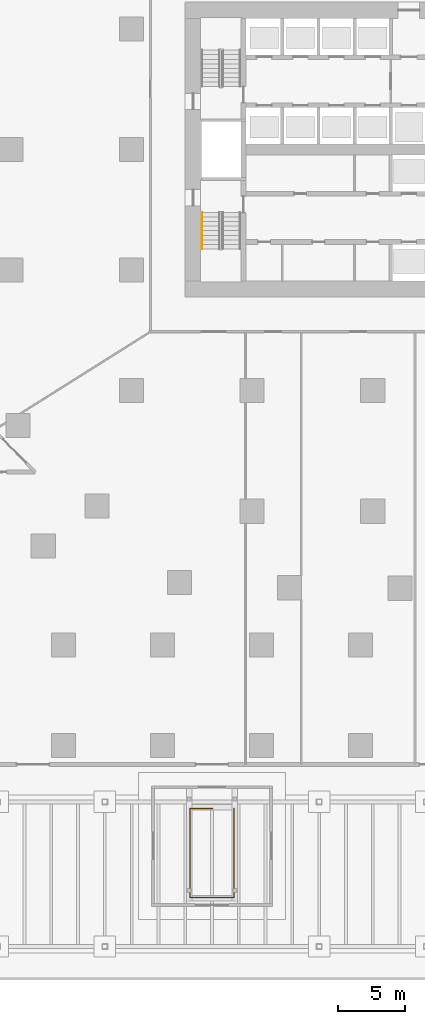
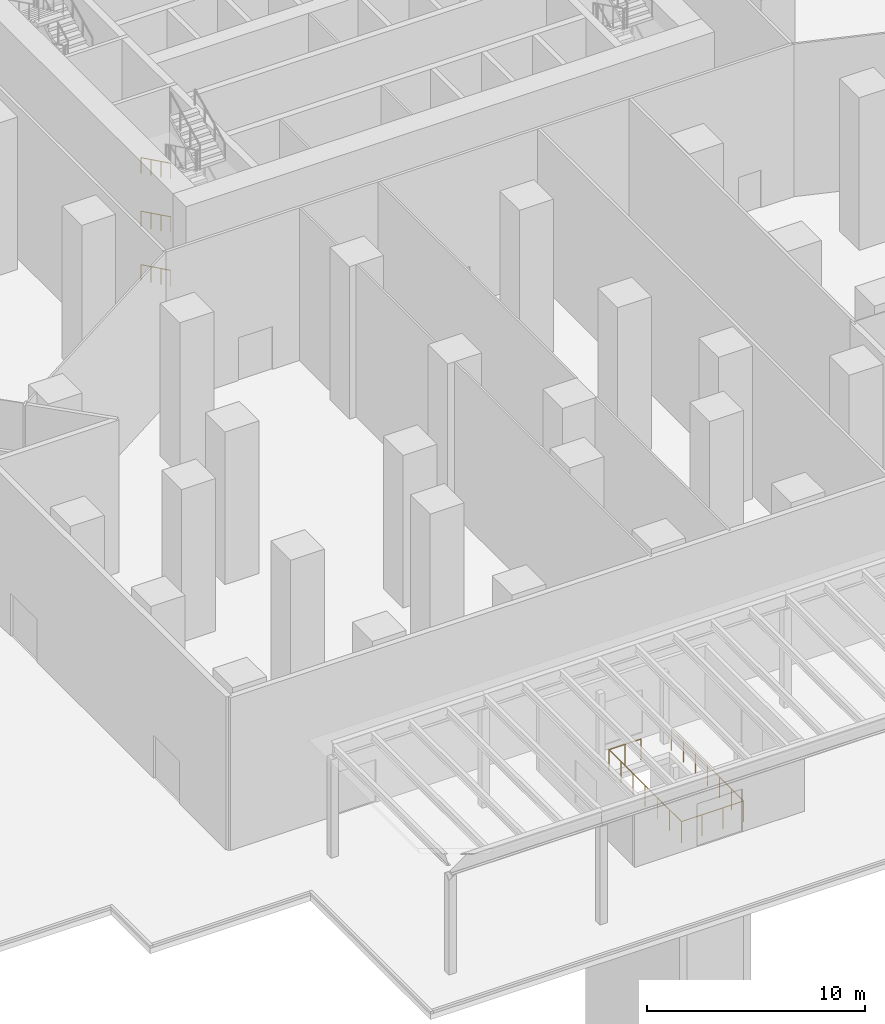
# One storey, part 36 of 40: 4 railings.
"""IFC4 building model written with IfcOpenShell, lengths in metres."""

from ifc_helpers import new_model, si_unit, direction, frame, origin, origin_2d, place, context, subcontext, project, spatial, circle, extrude, material, type_object, element, save


model = new_model("IFC4")

# Units and contexts
model_context = context("Model", 3, precision=1e-05, world=origin(), true_north=direction((0.0, 1.0)))
body_context = subcontext(model_context, "Body", "Model", "MODEL_VIEW")
ifc_project = project(units=[si_unit("LENGTHUNIT", "METRE"), si_unit("AREAUNIT", "SQUARE_METRE"), si_unit("VOLUMEUNIT", "CUBIC_METRE"), si_unit("PLANEANGLEUNIT", "RADIAN"), si_unit("MASSUNIT", "GRAM", prefix="KILO")], contexts=[model_context])

# Site, building, storey
site_placement = place(None, origin())
site = spatial("IfcSite", under=ifc_project, at=site_placement, CompositionType="ELEMENT")
building_placement = place(site_placement, origin())
building = spatial("IfcBuilding", under=site, at=building_placement, Name="Dongbaek Canopy Tower", CompositionType="ELEMENT")
storey_placement = place(building_placement, origin())
storey = spatial("IfcBuildingStorey", under=building, at=storey_placement, Name="L00", CompositionType="ELEMENT", Elevation=0.0)

# Railings
ifc_material_1 = material(Name="Stainless steel tube", Category="steel")
railing_type_1 = type_object("IfcRailingType", Name="Stair handrail 900", PredefinedType="HANDRAIL", material=ifc_material_1)
for number, where, name in (
    (1, (-12.75, -4.699951171875, 0.166748046875), "L00 ST-D stair handrail 1"),
    (2, (-12.75, -4.699951171875, 3.166748046875), "L00 ST-D stair handrail 3"),
    (3, (-12.75, -4.699951171875, 6.166748046875), "L00 ST-D stair handrail 5"),
):
    element("IfcRailing", number, at=place(storey_placement, frame(where)), inside=storey, type_object=railing_type_1, Name=name, PredefinedType="HANDRAIL", context=body_context, shape_type="SweptSolid", body=[
        extrude(circle(Radius=0.02392578125, at=origin_2d()), frame((0.0, 0.0, 0.8759765625), z_axis=(0.0, -0.897929466783, 0.4401393787), x_axis=(1.0, 0.0, 0.0)), (0.0, 0.0, 1.0), 3.029052734375),
        extrude(circle(Radius=0.02099609375, at=origin_2d()), origin(), (0.0, 0.0, 1.0), 0.851806640625),
        extrude(circle(Radius=0.02099609375, at=origin_2d()), frame((0.0, -0.90673828125, 0.4443359375)), (0.0, 0.0, 1.0), 0.851806640625),
        extrude(circle(Radius=0.02099609375, at=origin_2d()), frame((0.0, -1.813232421875, 0.888916015625)), (0.0, 0.0, 1.0), 0.851806640625),
        extrude(circle(Radius=0.02099609375, at=origin_2d()), frame((0.0, -2.719970703125, 1.333251953125)), (0.0, 0.0, 1.0), 0.851806640625),
    ])
ifc_material_2 = material(Name="Stainless steel", Category="steel")
railing_type_2 = type_object("IfcRailingType", Name="Stair opening guard 1200", PredefinedType="GUARDRAIL", material=ifc_material_2)
railing_placement = place(storey_placement, frame((-11.949951171875, -49.199951171875, 0.0)))
element("IfcRailing", 4, at=railing_placement, inside=storey, type_object=railing_type_2, Name="Metro entrance A stair guard", PredefinedType="GUARDRAIL", context=body_context, shape_type="SweptSolid", body=[
    extrude(circle(Radius=0.02392578125, at=origin_2d()), frame((0.0, 0.0, 1.17578125), z_axis=(-1.0, 0.0, 0.0), x_axis=(0.0, -1.0, 0.0)), (0.0, 0.0, 1.0), 1.699951171875),
    extrude(circle(Radius=0.02392578125, at=origin_2d()), frame((-1.699951171875, 0.0, 1.17578125), z_axis=(0.0, -1.0, 0.0), x_axis=(1.0, 0.0, 0.0)), (0.0, 0.0, 1.0), 6.650146484375),
    extrude(circle(Radius=0.02392578125, at=origin_2d()), frame((-1.699951171875, -6.650146484375, 1.17578125), z_axis=(1.0, 0.0, 0.0), x_axis=(0.0, 1.0, 0.0)), (0.0, 0.0, 1.0), 3.2998046875),
    extrude(circle(Radius=0.02392578125, at=origin_2d()), frame((1.599853515625, -6.650146484375, 1.17578125), z_axis=(0.0, 1.0, 0.0), x_axis=(-1.0, 0.0, 0.0)), (0.0, 0.0, 1.0), 6.650146484375),
    extrude(circle(Radius=0.02099609375, at=origin_2d()), origin(), (0.0, 0.0, 1.0), 1.15185546875),
    extrude(circle(Radius=0.02099609375, at=origin_2d()), frame((-0.85009765625, 0.0, 0.0)), (0.0, 0.0, 1.0), 1.15185546875),
    extrude(circle(Radius=0.02099609375, at=origin_2d()), frame((-1.699951171875, 0.0, 0.0)), (0.0, 0.0, 1.0), 1.15185546875),
    extrude(circle(Radius=0.02099609375, at=origin_2d()), frame((-1.699951171875, -1.1083984375, 0.0)), (0.0, 0.0, 1.0), 1.15185546875),
    extrude(circle(Radius=0.02099609375, at=origin_2d()), frame((-1.699951171875, -2.216796875, 0.0)), (0.0, 0.0, 1.0), 1.15185546875),
    extrude(circle(Radius=0.02099609375, at=origin_2d()), frame((-1.699951171875, -3.3251953125, 0.0)), (0.0, 0.0, 1.0), 1.15185546875),
    extrude(circle(Radius=0.02099609375, at=origin_2d()), frame((-1.699951171875, -4.433349609375, 0.0)), (0.0, 0.0, 1.0), 1.15185546875),
    extrude(circle(Radius=0.02099609375, at=origin_2d()), frame((-1.699951171875, -5.541748046875, 0.0)), (0.0, 0.0, 1.0), 1.15185546875),
    extrude(circle(Radius=0.02099609375, at=origin_2d()), frame((-1.699951171875, -6.650146484375, 0.0)), (0.0, 0.0, 1.0), 1.15185546875),
    extrude(circle(Radius=0.02099609375, at=origin_2d()), frame((-0.60009765625, -6.650146484375, 0.0)), (0.0, 0.0, 1.0), 1.15185546875),
    extrude(circle(Radius=0.02099609375, at=origin_2d()), frame((0.5, -6.650146484375, 0.0)), (0.0, 0.0, 1.0), 1.15185546875),
    extrude(circle(Radius=0.02099609375, at=origin_2d()), frame((1.599853515625, -6.650146484375, 0.0)), (0.0, 0.0, 1.0), 1.15185546875),
    extrude(circle(Radius=0.02099609375, at=origin_2d()), frame((1.599853515625, -5.541748046875, 0.0)), (0.0, 0.0, 1.0), 1.15185546875),
    extrude(circle(Radius=0.02099609375, at=origin_2d()), frame((1.599853515625, -4.433349609375, 0.0)), (0.0, 0.0, 1.0), 1.15185546875),
    extrude(circle(Radius=0.02099609375, at=origin_2d()), frame((1.599853515625, -3.3251953125, 0.0)), (0.0, 0.0, 1.0), 1.15185546875),
    extrude(circle(Radius=0.02099609375, at=origin_2d()), frame((1.599853515625, -2.216796875, 0.0)), (0.0, 0.0, 1.0), 1.15185546875),
    extrude(circle(Radius=0.02099609375, at=origin_2d()), frame((1.599853515625, -1.1083984375, 0.0)), (0.0, 0.0, 1.0), 1.15185546875),
    extrude(circle(Radius=0.02099609375, at=origin_2d()), frame((1.599853515625, 0.0, 0.0)), (0.0, 0.0, 1.0), 1.15185546875),
])

save(model, "model.ifc")
